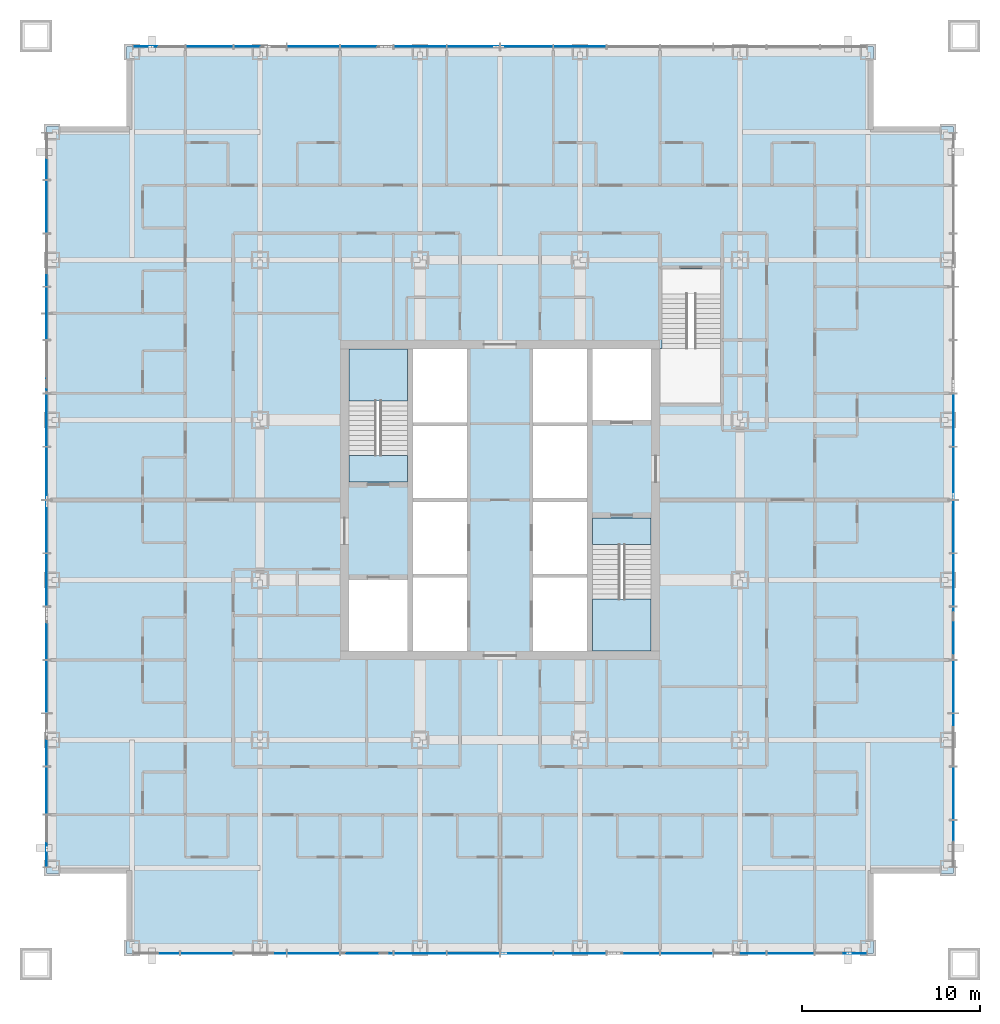
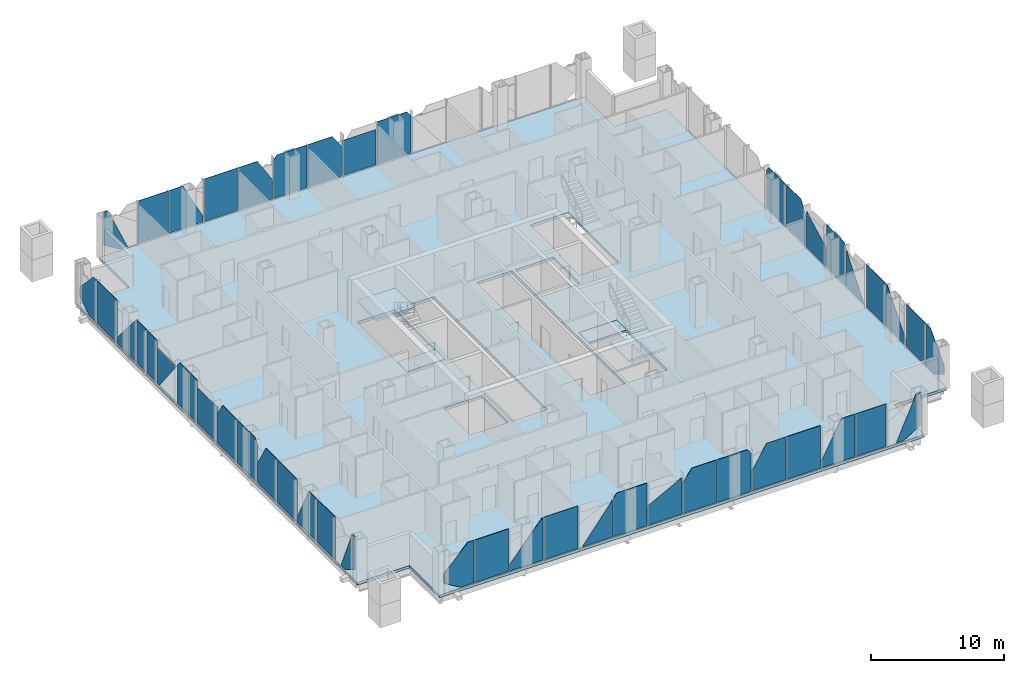
# One storey, part 6 of 23: 47 plates, 5 slabs, 6 elements without a shape of their own.
"""IFC4 building model written with IfcOpenShell, lengths in metres."""

from ifc_helpers import new_model, si_unit, direction, frame, origin, origin_2d, place, context, subcontext, project, spatial, polyline, rectangle, outline, extrude, material, layer, layer_set, type_object, element, aggregate, save


model = new_model("IFC4")

# Units and contexts
model_context = context("Model", 3, precision=1e-05, world=origin(), true_north=direction((0.0, 1.0)))
body_context = subcontext(model_context, "Body", "Model", "MODEL_VIEW")
ifc_project = project(units=[si_unit("LENGTHUNIT", "METRE"), si_unit("AREAUNIT", "SQUARE_METRE"), si_unit("VOLUMEUNIT", "CUBIC_METRE"), si_unit("PLANEANGLEUNIT", "RADIAN"), si_unit("MASSUNIT", "GRAM", prefix="KILO")], contexts=[model_context])

# Site, building, storey
site_placement = place(None, origin())
site = spatial("IfcSite", under=ifc_project, at=site_placement, CompositionType="ELEMENT")
building_placement = place(site_placement, origin())
building = spatial("IfcBuilding", under=site, at=building_placement, Name="Malebo Sky Hospital", CompositionType="ELEMENT")
storey_placement = place(building_placement, frame((0.0, 0.0, 91.0)))
storey = spatial("IfcBuildingStorey", under=building, at=storey_placement, Name="L21", CompositionType="ELEMENT", Elevation=91.0)

# Slab
ifc_material_1 = material(Name="Concrete C40/50", Category="concrete")
ifc_layer_1 = layer(ifc_material_1, 0.25)
ifc_layer_set_1 = layer_set([ifc_layer_1], Name="COMPOSITE FLOOR SLAB 250")
slab_type_1 = type_object("IfcSlabType", Name="COMPOSITE FLOOR SLAB 250", PredefinedType="FLOOR", material=ifc_layer_set_1)
slab_1_placement = place(storey_placement, frame((0.0, 0.0, -0.25)))
element("IfcSlab", 1, at=slab_1_placement, inside=storey, type_object=slab_type_1, Name="Floor slab L21", PredefinedType="FLOOR", context=body_context, shape_type="SweptSolid", body=[
    extrude(outline(polyline([(39.0, 87.5), (39.0, 83.0), (34.5, 83.0), (34.5, 41.0), (39.0, 41.0), (39.0, 36.5), (81.0, 36.5), (81.0, 41.0), (85.5, 41.0), (85.5, 83.0), (81.0, 83.0), (81.0, 87.5), (39.0, 87.5)]), holes=[polyline([(55.10009765625, 70.5), (58.14990234375, 70.5), (58.14990234375, 53.5), (55.10009765625, 53.5), (55.10009765625, 70.5)]), polyline([(64.89990234375, 70.5), (64.89990234375, 53.5), (61.85009765625, 53.5), (61.85009765625, 70.5), (64.89990234375, 70.5)]), polyline([(54.800048828125, 63.0), (51.5, 63.0), (51.5, 70.5), (54.800048828125, 70.5), (54.800048828125, 63.0)]), polyline([(51.5, 53.5), (51.5, 57.5), (54.800048828125, 57.5), (54.800048828125, 53.5), (51.5, 53.5)]), polyline([(65.199951171875, 61.0), (68.5, 61.0), (68.5, 53.5), (65.199951171875, 53.5), (65.199951171875, 61.0)]), polyline([(68.5, 70.5), (68.5, 66.5), (65.199951171875, 66.5), (65.199951171875, 70.5), (68.5, 70.5)]), polyline([(69.0, 67.449951171875), (69.0, 70.52001953125), (69.10009765625, 70.52001953125), (69.10009765625, 75.0), (72.39990234375, 75.0), (72.39990234375, 67.449951171875), (69.10009765625, 67.449951171875), (69.0, 67.449951171875)])]), origin(), (0.0, 0.0, 1.0), 0.25),
])

# Stair, slabs
stair_type = type_object("IfcStairType", Name="HALF-TURN STAIR 1500 R167", PredefinedType="HALF_TURN_STAIR", material=ifc_material_1)
stair_1_placement = place(storey_placement, origin())
stair_1 = element("IfcStair", 2, at=stair_1_placement, inside=storey, type_object=stair_type, Name="Stair S1 L21 type ST1", PredefinedType="HALF_TURN_STAIR")
ifc_layer_2 = layer(ifc_material_1, 0.199951171875)
ifc_layer_set_2 = layer_set([ifc_layer_2], Name="STAIR LANDING 200")
slab_type_2 = type_object("IfcSlabType", Name="STAIR LANDING 200", PredefinedType="LANDING", material=ifc_layer_set_2)
slab_2_placement = place(storey_placement, frame((0.0, 0.0, -0.199951171875)))
slab_2 = element("IfcSlab", 3, at=slab_2_placement, type_object=slab_type_2, Name="S1 landing 1", PredefinedType="LANDING", context=body_context, shape_type="SweptSolid", body=[
    extrude(outline(polyline([(51.5, 63.0), (54.800048828125, 63.0), (54.800048828125, 64.5), (51.5, 64.5), (51.5, 63.0)])), origin(), (0.0, 0.0, 1.0), 0.199951171875),
])
slab_3_placement = place(storey_placement, frame((0.0, 0.0, 1.800048828125)))
slab_3 = element("IfcSlab", 4, at=slab_3_placement, type_object=slab_type_2, Name="S1 landing 2", PredefinedType="LANDING", context=body_context, shape_type="SweptSolid", body=[
    extrude(outline(polyline([(51.5, 67.580078125), (54.800048828125, 67.580078125), (54.800048828125, 70.5), (51.5, 70.5), (51.5, 67.580078125)])), origin(), (0.0, 0.0, 1.0), 0.199951171875),
])
aggregate(stair_1, [slab_2, slab_3])

stair_2_placement = place(storey_placement, origin())
stair_2 = element("IfcStair", 5, at=stair_2_placement, inside=storey, type_object=stair_type, Name="Stair S2 L21 type ST1", PredefinedType="HALF_TURN_STAIR")
slab_4_placement = place(storey_placement, frame((0.0, 0.0, -0.199951171875)))
slab_4 = element("IfcSlab", 6, at=slab_4_placement, type_object=slab_type_2, Name="S2 landing 1", PredefinedType="LANDING", context=body_context, shape_type="SweptSolid", body=[
    extrude(outline(polyline([(65.199951171875, 59.5), (68.5, 59.5), (68.5, 61.0), (65.199951171875, 61.0), (65.199951171875, 59.5)])), origin(), (0.0, 0.0, 1.0), 0.199951171875),
])
slab_5_placement = place(storey_placement, frame((0.0, 0.0, 1.800048828125)))
slab_5 = element("IfcSlab", 7, at=slab_5_placement, type_object=slab_type_2, Name="S2 landing 2", PredefinedType="LANDING", context=body_context, shape_type="SweptSolid", body=[
    extrude(outline(polyline([(65.199951171875, 53.5), (68.5, 53.5), (68.5, 56.419921875), (65.199951171875, 56.419921875), (65.199951171875, 53.5)])), origin(), (0.0, 0.0, 1.0), 0.199951171875),
])
aggregate(stair_2, [slab_4, slab_5])

# Curtain wall, plates
ifc_material_2 = material(Name="Anodised aluminium, natural silver", Category="aluminium")
ifc_layer_3 = layer(ifc_material_2, 0.25)
ifc_layer_set_3 = layer_set([ifc_layer_3], Name="WARD CURTAIN WALL NORTH AND SOUTH")
curtain_wall_type_1 = type_object("IfcCurtainWallType", Name="WARD CURTAIN WALL NORTH AND SOUTH", PredefinedType="NOTDEFINED", material=ifc_layer_set_3)
curtain_wall_1_placement = place(storey_placement, origin())
curtain_wall_1 = element("IfcCurtainWall", 8, at=curtain_wall_1_placement, inside=storey, type_object=curtain_wall_type_1, Name="NS curtain wall N", PredefinedType="NOTDEFINED")
ifc_material_3 = material(Name="Clear low-iron double glazing", Category="glass")
ifc_layer_4 = layer(ifc_material_3, 0.031982421875)
ifc_layer_set_4 = layer_set([ifc_layer_4], Name="VISION PANEL CLEAR 32")
plate_type = type_object("IfcPlateType", Name="VISION PANEL CLEAR 32", PredefinedType="CURTAIN_PANEL", material=ifc_layer_set_4)
plate_1_placement = place(storey_placement, frame((40.41748046875, 87.5, 0.10009765625), z_axis=(0.0, 0.0, 1.0), x_axis=(1.0, 0.0, 0.0)))
plate_1 = element("IfcPlate", 9, at=plate_1_placement, type_object=plate_type, Name="Panel 1", PredefinedType="CURTAIN_PANEL", context=body_context, shape_type="SweptSolid", body=[
    extrude(outline(polyline([(0.388671875, 0.0), (1.04248046875, 0.0), (-0.662109375, 3.889892578125), (-1.04248046875, 3.889892578125), (-1.04248046875, 0.87744140625), (0.388671875, 0.0)])), frame((0.0, 0.01611328125, 0.0), z_axis=(0.0, -1.0, 0.0), x_axis=(1.0, 0.0, 0.0)), (0.0, 0.0, 1.0), 0.031982421875),
])
plate_2_placement = place(storey_placement, frame((43.64990234375, 87.5, 0.10009765625), z_axis=(0.0, 0.0, 1.0), x_axis=(1.0, 0.0, 0.0)))
plate_2 = element("IfcPlate", 10, at=plate_2_placement, type_object=plate_type, Name="Panel 2", PredefinedType="CURTAIN_PANEL", context=body_context, shape_type="SweptSolid", body=[
    extrude(rectangle(XDim=2.625, YDim=0.031982421875, at=origin_2d()), origin(), (0.0, 0.0, 1.0), 3.889892578125),
])
plate_3_placement = place(storey_placement, frame((46.5, 87.5, 0.10009765625), z_axis=(0.0, 0.0, 1.0), x_axis=(1.0, 0.0, 0.0)))
plate_3 = element("IfcPlate", 11, at=plate_3_placement, type_object=plate_type, Name="Panel 3", PredefinedType="CURTAIN_PANEL", context=body_context, shape_type="SweptSolid", body=[
    extrude(outline(polyline([(-1.46240234375, 0.0), (1.46240234375, 0.0), (1.46240234375, 0.5625), (-0.27587890625, 3.889892578125), (-1.46240234375, 3.889892578125), (-1.46240234375, 0.0)])), frame((0.0, 0.01611328125, 0.0), z_axis=(0.0, -1.0, 0.0), x_axis=(1.0, 0.0, 0.0)), (0.0, 0.0, 1.0), 0.031982421875),
])
plate_4_placement = place(storey_placement, frame((49.5, 87.5, 0.10009765625), z_axis=(0.0, 0.0, 1.0), x_axis=(1.0, 0.0, 0.0)))
plate_4 = element("IfcPlate", 12, at=plate_4_placement, type_object=plate_type, Name="Panel 4", PredefinedType="CURTAIN_PANEL", context=body_context, shape_type="SweptSolid", body=[
    extrude(rectangle(XDim=2.925048828125, YDim=0.031982421875, at=origin_2d()), origin(), (0.0, 0.0, 1.0), 3.889892578125),
])
plate_5_placement = place(storey_placement, frame((52.5, 87.5, 0.10009765625), z_axis=(0.0, 0.0, 1.0), x_axis=(1.0, 0.0, 0.0)))
plate_5 = element("IfcPlate", 13, at=plate_5_placement, type_object=plate_type, Name="Panel 5", PredefinedType="CURTAIN_PANEL", context=body_context, shape_type="SweptSolid", body=[
    extrude(outline(polyline([(-1.46240234375, 0.0), (1.46240234375, 0.0), (1.46240234375, 1.800048828125), (0.1943359375, 3.889892578125), (-1.46240234375, 3.889892578125), (-1.46240234375, 0.0)])), frame((0.0, 0.01611328125, 0.0), z_axis=(0.0, -1.0, 0.0), x_axis=(1.0, 0.0, 0.0)), (0.0, 0.0, 1.0), 0.031982421875),
])
plate_6_placement = place(storey_placement, frame((55.5, 87.5, 0.10009765625), z_axis=(0.0, 0.0, 1.0), x_axis=(1.0, 0.0, 0.0)))
plate_6 = element("IfcPlate", 14, at=plate_6_placement, type_object=plate_type, Name="Panel 6", PredefinedType="CURTAIN_PANEL", context=body_context, shape_type="SweptSolid", body=[
    extrude(outline(polyline([(-1.46240234375, 0.0), (1.46240234375, 0.0), (1.46240234375, 3.889892578125), (-1.135009765625, 3.889892578125), (-1.46240234375, 3.4677734375), (-1.46240234375, 0.0)])), frame((0.0, 0.01611328125, 0.0), z_axis=(0.0, -1.0, 0.0), x_axis=(1.0, 0.0, 0.0)), (0.0, 0.0, 1.0), 0.031982421875),
])
plate_7_placement = place(storey_placement, frame((58.5, 87.5, 0.10009765625), z_axis=(0.0, 0.0, 1.0), x_axis=(1.0, 0.0, 0.0)))
plate_7 = element("IfcPlate", 15, at=plate_7_placement, type_object=plate_type, Name="Panel 7", PredefinedType="CURTAIN_PANEL", context=body_context, shape_type="SweptSolid", body=[
    extrude(outline(polyline([(-1.46240234375, 0.0), (1.46240234375, 0.0), (1.46240234375, 2.73583984375), (0.664794921875, 3.889892578125), (-1.46240234375, 3.889892578125), (-1.46240234375, 0.0)])), frame((0.0, 0.01611328125, 0.0), z_axis=(0.0, -1.0, 0.0), x_axis=(1.0, 0.0, 0.0)), (0.0, 0.0, 1.0), 0.031982421875),
])
plate_8_placement = place(storey_placement, frame((61.5, 87.5, 0.10009765625), z_axis=(0.0, 0.0, 1.0), x_axis=(1.0, 0.0, 0.0)))
plate_8 = element("IfcPlate", 16, at=plate_8_placement, type_object=plate_type, Name="Panel 8", PredefinedType="CURTAIN_PANEL", context=body_context, shape_type="SweptSolid", body=[
    extrude(outline(polyline([(-1.46240234375, 0.0), (1.46240234375, 0.0), (1.46240234375, 3.226806640625), (-1.46240234375, 3.226806640625), (-1.46240234375, 0.0)])), frame((0.0, 0.01611328125, 0.0), z_axis=(0.0, -1.0, 0.0), x_axis=(1.0, 0.0, 0.0)), (0.0, 0.0, 1.0), 0.031982421875),
])
plate_9_placement = place(storey_placement, frame((64.5, 87.5, 0.10009765625), z_axis=(0.0, 0.0, 1.0), x_axis=(1.0, 0.0, 0.0)))
plate_9 = element("IfcPlate", 17, at=plate_9_placement, type_object=plate_type, Name="Panel 9", PredefinedType="CURTAIN_PANEL", context=body_context, shape_type="SweptSolid", body=[
    extrude(outline(polyline([(-1.46240234375, 0.0), (1.46240234375, 0.0), (1.46240234375, 3.4677734375), (1.135009765625, 3.889892578125), (-1.46240234375, 3.889892578125), (-1.46240234375, 0.0)])), frame((0.0, 0.01611328125, 0.0), z_axis=(0.0, -1.0, 0.0), x_axis=(1.0, 0.0, 0.0)), (0.0, 0.0, 1.0), 0.031982421875),
])
aggregate(curtain_wall_1, [plate_1, plate_2, plate_3, plate_4, plate_5, plate_6, plate_7, plate_8, plate_9])

ifc_layer_5 = layer(ifc_material_2, 0.25)
ifc_layer_set_5 = layer_set([ifc_layer_5], Name="WARD CURTAIN WALL EAST AND WEST")
curtain_wall_type_2 = type_object("IfcCurtainWallType", Name="WARD CURTAIN WALL EAST AND WEST", PredefinedType="NOTDEFINED", material=ifc_layer_set_5)
curtain_wall_2_placement = place(storey_placement, origin())
curtain_wall_2 = element("IfcCurtainWall", 18, at=curtain_wall_2_placement, inside=storey, type_object=curtain_wall_type_2, Name="EW curtain wall W", PredefinedType="NOTDEFINED")
plate_10_placement = place(storey_placement, frame((34.5, 42.41748046875, 0.10009765625), z_axis=(0.0, 0.0, 1.0), x_axis=(0.0, 1.0, 0.0)))
plate_10 = element("IfcPlate", 19, at=plate_10_placement, type_object=plate_type, Name="Panel 1", PredefinedType="CURTAIN_PANEL", context=body_context, shape_type="SweptSolid", body=[
    extrude(outline(polyline([(0.388671875, 0.0), (1.04248046875, 0.0), (-0.662109375, 3.889892578125), (-1.04248046875, 3.889892578125), (-1.04248046875, 0.87744140625), (0.388671875, 0.0)])), frame((0.0, 0.01611328125, 0.0), z_axis=(0.0, -1.0, 0.0), x_axis=(1.0, 0.0, 0.0)), (0.0, 0.0, 1.0), 0.031982421875),
])
plate_11_placement = place(storey_placement, frame((34.5, 45.64990234375, 0.10009765625), z_axis=(0.0, 0.0, 1.0), x_axis=(0.0, 1.0, 0.0)))
plate_11 = element("IfcPlate", 20, at=plate_11_placement, type_object=plate_type, Name="Panel 2", PredefinedType="CURTAIN_PANEL", context=body_context, shape_type="SweptSolid", body=[
    extrude(rectangle(XDim=2.625, YDim=0.031982421875, at=origin_2d()), origin(), (0.0, 0.0, 1.0), 3.889892578125),
])
plate_12_placement = place(storey_placement, frame((34.5, 48.5, 0.10009765625), z_axis=(0.0, 0.0, 1.0), x_axis=(0.0, 1.0, 0.0)))
plate_12 = element("IfcPlate", 21, at=plate_12_placement, type_object=plate_type, Name="Panel 3", PredefinedType="CURTAIN_PANEL", context=body_context, shape_type="SweptSolid", body=[
    extrude(outline(polyline([(-1.46240234375, 0.0), (1.46240234375, 0.0), (1.46240234375, 0.5625), (-0.27587890625, 3.889892578125), (-1.46240234375, 3.889892578125), (-1.46240234375, 0.0)])), frame((0.0, 0.01611328125, 0.0), z_axis=(0.0, -1.0, 0.0), x_axis=(1.0, 0.0, 0.0)), (0.0, 0.0, 1.0), 0.031982421875),
])
plate_13_placement = place(storey_placement, frame((34.5, 51.5, 0.10009765625), z_axis=(0.0, 0.0, 1.0), x_axis=(0.0, 1.0, 0.0)))
plate_13 = element("IfcPlate", 22, at=plate_13_placement, type_object=plate_type, Name="Panel 4", PredefinedType="CURTAIN_PANEL", context=body_context, shape_type="SweptSolid", body=[
    extrude(rectangle(XDim=2.925048828125, YDim=0.031982421875, at=origin_2d()), origin(), (0.0, 0.0, 1.0), 3.889892578125),
])
plate_14_placement = place(storey_placement, frame((34.5, 54.5, 0.10009765625), z_axis=(0.0, 0.0, 1.0), x_axis=(0.0, 1.0, 0.0)))
plate_14 = element("IfcPlate", 23, at=plate_14_placement, type_object=plate_type, Name="Panel 5", PredefinedType="CURTAIN_PANEL", context=body_context, shape_type="SweptSolid", body=[
    extrude(outline(polyline([(-1.46240234375, 0.0), (1.46240234375, 0.0), (1.46240234375, 1.800048828125), (0.1943359375, 3.889892578125), (-1.46240234375, 3.889892578125), (-1.46240234375, 0.0)])), frame((0.0, 0.01611328125, 0.0), z_axis=(0.0, -1.0, 0.0), x_axis=(1.0, 0.0, 0.0)), (0.0, 0.0, 1.0), 0.031982421875),
])
plate_15_placement = place(storey_placement, frame((34.5, 57.5, 0.10009765625), z_axis=(0.0, 0.0, 1.0), x_axis=(0.0, 1.0, 0.0)))
plate_15 = element("IfcPlate", 24, at=plate_15_placement, type_object=plate_type, Name="Panel 6", PredefinedType="CURTAIN_PANEL", context=body_context, shape_type="SweptSolid", body=[
    extrude(outline(polyline([(-1.46240234375, 0.0), (1.46240234375, 0.0), (1.46240234375, 3.889892578125), (-1.135009765625, 3.889892578125), (-1.46240234375, 3.4677734375), (-1.46240234375, 0.0)])), frame((0.0, 0.01611328125, 0.0), z_axis=(0.0, -1.0, 0.0), x_axis=(1.0, 0.0, 0.0)), (0.0, 0.0, 1.0), 0.031982421875),
])
plate_16_placement = place(storey_placement, frame((34.5, 60.5, 0.10009765625), z_axis=(0.0, 0.0, 1.0), x_axis=(0.0, 1.0, 0.0)))
plate_16 = element("IfcPlate", 25, at=plate_16_placement, type_object=plate_type, Name="Panel 7", PredefinedType="CURTAIN_PANEL", context=body_context, shape_type="SweptSolid", body=[
    extrude(outline(polyline([(-1.46240234375, 0.0), (1.46240234375, 0.0), (1.46240234375, 2.73583984375), (0.664794921875, 3.889892578125), (-1.46240234375, 3.889892578125), (-1.46240234375, 0.0)])), frame((0.0, 0.01611328125, 0.0), z_axis=(0.0, -1.0, 0.0), x_axis=(1.0, 0.0, 0.0)), (0.0, 0.0, 1.0), 0.031982421875),
])
plate_17_placement = place(storey_placement, frame((34.5, 63.5, 0.10009765625), z_axis=(0.0, 0.0, 1.0), x_axis=(0.0, 1.0, 0.0)))
plate_17 = element("IfcPlate", 26, at=plate_17_placement, type_object=plate_type, Name="Panel 8", PredefinedType="CURTAIN_PANEL", context=body_context, shape_type="SweptSolid", body=[
    extrude(outline(polyline([(-1.46240234375, 0.0), (1.46240234375, 0.0), (1.46240234375, 3.226806640625), (-1.46240234375, 3.226806640625), (-1.46240234375, 0.0)])), frame((0.0, 0.01611328125, 0.0), z_axis=(0.0, -1.0, 0.0), x_axis=(1.0, 0.0, 0.0)), (0.0, 0.0, 1.0), 0.031982421875),
])
plate_18_placement = place(storey_placement, frame((34.5, 66.5, 0.10009765625), z_axis=(0.0, 0.0, 1.0), x_axis=(0.0, 1.0, 0.0)))
plate_18 = element("IfcPlate", 27, at=plate_18_placement, type_object=plate_type, Name="Panel 9", PredefinedType="CURTAIN_PANEL", context=body_context, shape_type="SweptSolid", body=[
    extrude(outline(polyline([(-1.46240234375, 0.0), (1.46240234375, 0.0), (1.46240234375, 3.4677734375), (1.135009765625, 3.889892578125), (-1.46240234375, 3.889892578125), (-1.46240234375, 0.0)])), frame((0.0, 0.01611328125, 0.0), z_axis=(0.0, -1.0, 0.0), x_axis=(1.0, 0.0, 0.0)), (0.0, 0.0, 1.0), 0.031982421875),
])
plate_19_placement = place(storey_placement, frame((34.5, 69.5615234375, 0.10009765625), z_axis=(0.0, 0.0, 1.0), x_axis=(0.0, 1.0, 0.0)))
plate_19 = element("IfcPlate", 28, at=plate_19_placement, type_object=plate_type, Name="Panel 10", PredefinedType="CURTAIN_PANEL", context=body_context, shape_type="SweptSolid", body=[
    extrude(outline(polyline([(1.08935546875, 0.0), (1.40087890625, 0.0), (1.40087890625, 3.212158203125), (-1.40087890625, 3.212158203125), (1.08935546875, 0.0)])), frame((0.0, 0.01611328125, 0.0), z_axis=(0.0, -1.0, 0.0), x_axis=(1.0, 0.0, 0.0)), (0.0, 0.0, 1.0), 0.031982421875),
])
plate_20_placement = place(storey_placement, frame((34.5, 71.75, 0.10009765625), z_axis=(0.0, 0.0, 1.0), x_axis=(0.0, 1.0, 0.0)))
plate_20 = element("IfcPlate", 29, at=plate_20_placement, type_object=plate_type, Name="Panel 11", PredefinedType="CURTAIN_PANEL", context=body_context, shape_type="SweptSolid", body=[
    extrude(rectangle(XDim=1.425048828125, YDim=0.031982421875, at=origin_2d()), origin(), (0.0, 0.0, 1.0), 3.889892578125),
])
plate_21_placement = place(storey_placement, frame((34.5, 73.25, 0.10009765625), z_axis=(0.0, 0.0, 1.0), x_axis=(0.0, 1.0, 0.0)))
plate_21 = element("IfcPlate", 30, at=plate_21_placement, type_object=plate_type, Name="Panel 12", PredefinedType="CURTAIN_PANEL", context=body_context, shape_type="SweptSolid", body=[
    extrude(rectangle(XDim=1.425048828125, YDim=0.031982421875, at=origin_2d()), origin(), (0.0, 0.0, 1.0), 3.889892578125),
])
plate_22_placement = place(storey_placement, frame((34.5, 75.5, 0.10009765625), z_axis=(0.0, 0.0, 1.0), x_axis=(0.0, 1.0, 0.0)))
plate_22 = element("IfcPlate", 31, at=plate_22_placement, type_object=plate_type, Name="Panel 13", PredefinedType="CURTAIN_PANEL", context=body_context, shape_type="SweptSolid", body=[
    extrude(outline(polyline([(-1.46240234375, 0.0), (1.46240234375, 0.0), (1.46240234375, 0.565185546875), (-1.395263671875, 3.889892578125), (-1.46240234375, 3.889892578125), (-1.46240234375, 0.0)])), frame((0.0, 0.01611328125, 0.0), z_axis=(0.0, -1.0, 0.0), x_axis=(1.0, 0.0, 0.0)), (0.0, 0.0, 1.0), 0.031982421875),
])
plate_23_placement = place(storey_placement, frame((34.5, 78.5, 0.10009765625), z_axis=(0.0, 0.0, 1.0), x_axis=(0.0, 1.0, 0.0)))
plate_23 = element("IfcPlate", 32, at=plate_23_placement, type_object=plate_type, Name="Panel 14", PredefinedType="CURTAIN_PANEL", context=body_context, shape_type="SweptSolid", body=[
    extrude(rectangle(XDim=2.925048828125, YDim=0.031982421875, at=origin_2d()), origin(), (0.0, 0.0, 1.0), 3.889892578125),
])
plate_24_placement = place(storey_placement, frame((34.5, 81.331298828125, 0.10009765625), z_axis=(0.0, 0.0, 1.0), x_axis=(0.0, 1.0, 0.0)))
plate_24 = element("IfcPlate", 33, at=plate_24_placement, type_object=plate_type, Name="Panel 15", PredefinedType="CURTAIN_PANEL", context=body_context, shape_type="SweptSolid", body=[
    extrude(outline(polyline([(-1.293701171875, 0.0), (-0.137451171875, 0.0), (1.293701171875, 0.87744140625), (1.293701171875, 1.716064453125), (-0.758056640625, 3.889892578125), (-1.293701171875, 3.889892578125), (-1.293701171875, 0.0)])), frame((0.0, 0.01611328125, 0.0), z_axis=(0.0, -1.0, 0.0), x_axis=(1.0, 0.0, 0.0)), (0.0, 0.0, 1.0), 0.031982421875),
])
aggregate(curtain_wall_2, [plate_10, plate_11, plate_12, plate_13, plate_14, plate_15, plate_16, plate_17, plate_18, plate_19, plate_20, plate_21, plate_22, plate_23, plate_24])

curtain_wall_3_placement = place(storey_placement, origin())
curtain_wall_3 = element("IfcCurtainWall", 34, at=curtain_wall_3_placement, inside=storey, type_object=curtain_wall_type_1, Name="NS curtain wall S", PredefinedType="NOTDEFINED")
plate_25_placement = place(storey_placement, frame((79.58251953125, 36.5, 0.10009765625), z_axis=(0.0, 0.0, 1.0), x_axis=(-1.0, 0.0, 0.0)))
plate_25 = element("IfcPlate", 35, at=plate_25_placement, type_object=plate_type, Name="Panel 1", PredefinedType="CURTAIN_PANEL", context=body_context, shape_type="SweptSolid", body=[
    extrude(outline(polyline([(0.388671875, 0.0), (1.04248046875, 0.0), (-0.662109375, 3.889892578125), (-1.04248046875, 3.889892578125), (-1.04248046875, 0.87744140625), (0.388671875, 0.0)])), frame((0.0, 0.01611328125, 0.0), z_axis=(0.0, -1.0, 0.0), x_axis=(1.0, 0.0, 0.0)), (0.0, 0.0, 1.0), 0.031982421875),
])
plate_26_placement = place(storey_placement, frame((76.35009765625, 36.5, 0.10009765625), z_axis=(0.0, 0.0, 1.0), x_axis=(-1.0, 0.0, 0.0)))
plate_26 = element("IfcPlate", 36, at=plate_26_placement, type_object=plate_type, Name="Panel 2", PredefinedType="CURTAIN_PANEL", context=body_context, shape_type="SweptSolid", body=[
    extrude(rectangle(XDim=2.625, YDim=0.031982421875, at=origin_2d()), origin(), (0.0, 0.0, 1.0), 3.889892578125),
])
plate_27_placement = place(storey_placement, frame((73.5, 36.5, 0.10009765625), z_axis=(0.0, 0.0, 1.0), x_axis=(-1.0, 0.0, 0.0)))
plate_27 = element("IfcPlate", 37, at=plate_27_placement, type_object=plate_type, Name="Panel 3", PredefinedType="CURTAIN_PANEL", context=body_context, shape_type="SweptSolid", body=[
    extrude(outline(polyline([(-1.46240234375, 0.0), (1.46240234375, 0.0), (1.46240234375, 0.5625), (-0.27587890625, 3.889892578125), (-1.46240234375, 3.889892578125), (-1.46240234375, 0.0)])), frame((0.0, 0.01611328125, 0.0), z_axis=(0.0, -1.0, 0.0), x_axis=(1.0, 0.0, 0.0)), (0.0, 0.0, 1.0), 0.031982421875),
])
plate_28_placement = place(storey_placement, frame((70.5, 36.5, 0.10009765625), z_axis=(0.0, 0.0, 1.0), x_axis=(-1.0, 0.0, 0.0)))
plate_28 = element("IfcPlate", 38, at=plate_28_placement, type_object=plate_type, Name="Panel 4", PredefinedType="CURTAIN_PANEL", context=body_context, shape_type="SweptSolid", body=[
    extrude(rectangle(XDim=2.925048828125, YDim=0.031982421875, at=origin_2d()), origin(), (0.0, 0.0, 1.0), 3.889892578125),
])
plate_29_placement = place(storey_placement, frame((67.5, 36.5, 0.10009765625), z_axis=(0.0, 0.0, 1.0), x_axis=(-1.0, 0.0, 0.0)))
plate_29 = element("IfcPlate", 39, at=plate_29_placement, type_object=plate_type, Name="Panel 5", PredefinedType="CURTAIN_PANEL", context=body_context, shape_type="SweptSolid", body=[
    extrude(outline(polyline([(-1.46240234375, 0.0), (1.46240234375, 0.0), (1.46240234375, 1.800048828125), (0.1943359375, 3.889892578125), (-1.46240234375, 3.889892578125), (-1.46240234375, 0.0)])), frame((0.0, 0.01611328125, 0.0), z_axis=(0.0, -1.0, 0.0), x_axis=(1.0, 0.0, 0.0)), (0.0, 0.0, 1.0), 0.031982421875),
])
plate_30_placement = place(storey_placement, frame((64.5, 36.5, 0.10009765625), z_axis=(0.0, 0.0, 1.0), x_axis=(-1.0, 0.0, 0.0)))
plate_30 = element("IfcPlate", 40, at=plate_30_placement, type_object=plate_type, Name="Panel 6", PredefinedType="CURTAIN_PANEL", context=body_context, shape_type="SweptSolid", body=[
    extrude(outline(polyline([(-1.46240234375, 0.0), (1.46240234375, 0.0), (1.46240234375, 3.889892578125), (-1.135009765625, 3.889892578125), (-1.46240234375, 3.4677734375), (-1.46240234375, 0.0)])), frame((0.0, 0.01611328125, 0.0), z_axis=(0.0, -1.0, 0.0), x_axis=(1.0, 0.0, 0.0)), (0.0, 0.0, 1.0), 0.031982421875),
])
plate_31_placement = place(storey_placement, frame((61.5, 36.5, 0.10009765625), z_axis=(0.0, 0.0, 1.0), x_axis=(-1.0, 0.0, 0.0)))
plate_31 = element("IfcPlate", 41, at=plate_31_placement, type_object=plate_type, Name="Panel 7", PredefinedType="CURTAIN_PANEL", context=body_context, shape_type="SweptSolid", body=[
    extrude(outline(polyline([(-1.46240234375, 0.0), (1.46240234375, 0.0), (1.46240234375, 2.73583984375), (0.664794921875, 3.889892578125), (-1.46240234375, 3.889892578125), (-1.46240234375, 0.0)])), frame((0.0, 0.01611328125, 0.0), z_axis=(0.0, -1.0, 0.0), x_axis=(1.0, 0.0, 0.0)), (0.0, 0.0, 1.0), 0.031982421875),
])
plate_32_placement = place(storey_placement, frame((58.5, 36.5, 0.10009765625), z_axis=(0.0, 0.0, 1.0), x_axis=(-1.0, 0.0, 0.0)))
plate_32 = element("IfcPlate", 42, at=plate_32_placement, type_object=plate_type, Name="Panel 8", PredefinedType="CURTAIN_PANEL", context=body_context, shape_type="SweptSolid", body=[
    extrude(outline(polyline([(-1.46240234375, 0.0), (1.46240234375, 0.0), (1.46240234375, 1.768798828125), (-1.46240234375, 3.31787109375), (-1.46240234375, 0.0)])), frame((0.0, 0.01611328125, 0.0), z_axis=(0.0, -1.0, 0.0), x_axis=(1.0, 0.0, 0.0)), (0.0, 0.0, 1.0), 0.031982421875),
])
plate_33_placement = place(storey_placement, frame((55.5, 36.5, 0.10009765625), z_axis=(0.0, 0.0, 1.0), x_axis=(-1.0, 0.0, 0.0)))
plate_33 = element("IfcPlate", 43, at=plate_33_placement, type_object=plate_type, Name="Panel 9", PredefinedType="CURTAIN_PANEL", context=body_context, shape_type="SweptSolid", body=[
    extrude(outline(polyline([(-1.46240234375, 0.0), (1.46240234375, 0.0), (1.46240234375, 3.4677734375), (1.135009765625, 3.889892578125), (-1.46240234375, 3.889892578125), (-1.46240234375, 0.0)])), frame((0.0, 0.01611328125, 0.0), z_axis=(0.0, -1.0, 0.0), x_axis=(1.0, 0.0, 0.0)), (0.0, 0.0, 1.0), 0.031982421875),
])
plate_34_placement = place(storey_placement, frame((52.65576171875, 36.5, 0.10009765625), z_axis=(0.0, 0.0, 1.0), x_axis=(-1.0, 0.0, 0.0)))
plate_34 = element("IfcPlate", 44, at=plate_34_placement, type_object=plate_type, Name="Panel 10", PredefinedType="CURTAIN_PANEL", context=body_context, shape_type="SweptSolid", body=[
    extrude(outline(polyline([(-1.306640625, 0.0), (1.306640625, 0.0), (-1.306640625, 3.370849609375), (-1.306640625, 0.0)])), frame((0.0, 0.01611328125, 0.0), z_axis=(0.0, -1.0, 0.0), x_axis=(1.0, 0.0, 0.0)), (0.0, 0.0, 1.0), 0.031982421875),
])
plate_35_placement = place(storey_placement, frame((49.5, 36.5, 0.10009765625), z_axis=(0.0, 0.0, 1.0), x_axis=(-1.0, 0.0, 0.0)))
plate_35 = element("IfcPlate", 45, at=plate_35_placement, type_object=plate_type, Name="Panel 11", PredefinedType="CURTAIN_PANEL", context=body_context, shape_type="SweptSolid", body=[
    extrude(rectangle(XDim=2.925048828125, YDim=0.031982421875, at=origin_2d()), origin(), (0.0, 0.0, 1.0), 3.889892578125),
])
plate_36_placement = place(storey_placement, frame((46.5, 36.5, 0.10009765625), z_axis=(0.0, 0.0, 1.0), x_axis=(-1.0, 0.0, 0.0)))
plate_36 = element("IfcPlate", 46, at=plate_36_placement, type_object=plate_type, Name="Panel 12", PredefinedType="CURTAIN_PANEL", context=body_context, shape_type="SweptSolid", body=[
    extrude(outline(polyline([(-1.46240234375, 0.0), (1.46240234375, 0.0), (1.46240234375, 0.565185546875), (-1.395263671875, 3.889892578125), (-1.46240234375, 3.889892578125), (-1.46240234375, 0.0)])), frame((0.0, 0.01611328125, 0.0), z_axis=(0.0, -1.0, 0.0), x_axis=(1.0, 0.0, 0.0)), (0.0, 0.0, 1.0), 0.031982421875),
])
plate_37_placement = place(storey_placement, frame((43.5, 36.5, 0.10009765625), z_axis=(0.0, 0.0, 1.0), x_axis=(-1.0, 0.0, 0.0)))
plate_37 = element("IfcPlate", 47, at=plate_37_placement, type_object=plate_type, Name="Panel 13", PredefinedType="CURTAIN_PANEL", context=body_context, shape_type="SweptSolid", body=[
    extrude(rectangle(XDim=2.925048828125, YDim=0.031982421875, at=origin_2d()), origin(), (0.0, 0.0, 1.0), 3.889892578125),
])
plate_38_placement = place(storey_placement, frame((40.668701171875, 36.5, 0.10009765625), z_axis=(0.0, 0.0, 1.0), x_axis=(-1.0, 0.0, 0.0)))
plate_38 = element("IfcPlate", 48, at=plate_38_placement, type_object=plate_type, Name="Panel 14", PredefinedType="CURTAIN_PANEL", context=body_context, shape_type="SweptSolid", body=[
    extrude(outline(polyline([(-1.293701171875, 0.0), (-0.137451171875, 0.0), (1.293701171875, 0.87744140625), (1.293701171875, 1.716064453125), (-0.758056640625, 3.889892578125), (-1.293701171875, 3.889892578125), (-1.293701171875, 0.0)])), frame((0.0, 0.01611328125, 0.0), z_axis=(0.0, -1.0, 0.0), x_axis=(1.0, 0.0, 0.0)), (0.0, 0.0, 1.0), 0.031982421875),
])
aggregate(curtain_wall_3, [plate_25, plate_26, plate_27, plate_28, plate_29, plate_30, plate_31, plate_32, plate_33, plate_34, plate_35, plate_36, plate_37, plate_38])

curtain_wall_4_placement = place(storey_placement, origin())
curtain_wall_4 = element("IfcCurtainWall", 49, at=curtain_wall_4_placement, inside=storey, type_object=curtain_wall_type_2, Name="EW curtain wall E", PredefinedType="NOTDEFINED")
plate_39_placement = place(storey_placement, frame((85.5, 66.5, 0.10009765625), z_axis=(0.0, 0.0, 1.0), x_axis=(0.0, -1.0, 0.0)))
plate_39 = element("IfcPlate", 50, at=plate_39_placement, type_object=plate_type, Name="Panel 6", PredefinedType="CURTAIN_PANEL", context=body_context, shape_type="SweptSolid", body=[
    extrude(outline(polyline([(-1.46240234375, 0.0), (1.46240234375, 0.0), (1.46240234375, 3.889892578125), (-1.135009765625, 3.889892578125), (-1.46240234375, 3.4677734375), (-1.46240234375, 0.0)])), frame((0.0, 0.01611328125, 0.0), z_axis=(0.0, -1.0, 0.0), x_axis=(1.0, 0.0, 0.0)), (0.0, 0.0, 1.0), 0.031982421875),
])
plate_40_placement = place(storey_placement, frame((85.5, 63.5, 0.10009765625), z_axis=(0.0, 0.0, 1.0), x_axis=(0.0, -1.0, 0.0)))
plate_40 = element("IfcPlate", 51, at=plate_40_placement, type_object=plate_type, Name="Panel 7", PredefinedType="CURTAIN_PANEL", context=body_context, shape_type="SweptSolid", body=[
    extrude(outline(polyline([(-1.46240234375, 0.0), (1.46240234375, 0.0), (1.46240234375, 2.73583984375), (0.664794921875, 3.889892578125), (-1.46240234375, 3.889892578125), (-1.46240234375, 0.0)])), frame((0.0, 0.01611328125, 0.0), z_axis=(0.0, -1.0, 0.0), x_axis=(1.0, 0.0, 0.0)), (0.0, 0.0, 1.0), 0.031982421875),
])
plate_41_placement = place(storey_placement, frame((85.5, 60.5, 0.10009765625), z_axis=(0.0, 0.0, 1.0), x_axis=(0.0, -1.0, 0.0)))
plate_41 = element("IfcPlate", 52, at=plate_41_placement, type_object=plate_type, Name="Panel 8", PredefinedType="CURTAIN_PANEL", context=body_context, shape_type="SweptSolid", body=[
    extrude(outline(polyline([(-1.46240234375, 0.0), (1.46240234375, 0.0), (1.46240234375, 1.768798828125), (-1.46240234375, 3.31787109375), (-1.46240234375, 0.0)])), frame((0.0, 0.01611328125, 0.0), z_axis=(0.0, -1.0, 0.0), x_axis=(1.0, 0.0, 0.0)), (0.0, 0.0, 1.0), 0.031982421875),
])
plate_42_placement = place(storey_placement, frame((85.5, 57.5, 0.10009765625), z_axis=(0.0, 0.0, 1.0), x_axis=(0.0, -1.0, 0.0)))
plate_42 = element("IfcPlate", 53, at=plate_42_placement, type_object=plate_type, Name="Panel 9", PredefinedType="CURTAIN_PANEL", context=body_context, shape_type="SweptSolid", body=[
    extrude(outline(polyline([(-1.46240234375, 0.0), (1.46240234375, 0.0), (1.46240234375, 3.4677734375), (1.135009765625, 3.889892578125), (-1.46240234375, 3.889892578125), (-1.46240234375, 0.0)])), frame((0.0, 0.01611328125, 0.0), z_axis=(0.0, -1.0, 0.0), x_axis=(1.0, 0.0, 0.0)), (0.0, 0.0, 1.0), 0.031982421875),
])
plate_43_placement = place(storey_placement, frame((85.5, 54.65576171875, 0.10009765625), z_axis=(0.0, 0.0, 1.0), x_axis=(0.0, -1.0, 0.0)))
plate_43 = element("IfcPlate", 54, at=plate_43_placement, type_object=plate_type, Name="Panel 10", PredefinedType="CURTAIN_PANEL", context=body_context, shape_type="SweptSolid", body=[
    extrude(outline(polyline([(-1.306640625, 0.0), (1.306640625, 0.0), (-1.306640625, 3.370849609375), (-1.306640625, 0.0)])), frame((0.0, 0.01611328125, 0.0), z_axis=(0.0, -1.0, 0.0), x_axis=(1.0, 0.0, 0.0)), (0.0, 0.0, 1.0), 0.031982421875),
])
plate_44_placement = place(storey_placement, frame((85.5, 51.5, 0.10009765625), z_axis=(0.0, 0.0, 1.0), x_axis=(0.0, -1.0, 0.0)))
plate_44 = element("IfcPlate", 55, at=plate_44_placement, type_object=plate_type, Name="Panel 11", PredefinedType="CURTAIN_PANEL", context=body_context, shape_type="SweptSolid", body=[
    extrude(rectangle(XDim=2.925048828125, YDim=0.031982421875, at=origin_2d()), origin(), (0.0, 0.0, 1.0), 3.889892578125),
])
plate_45_placement = place(storey_placement, frame((85.5, 48.5, 0.10009765625), z_axis=(0.0, 0.0, 1.0), x_axis=(0.0, -1.0, 0.0)))
plate_45 = element("IfcPlate", 56, at=plate_45_placement, type_object=plate_type, Name="Panel 12", PredefinedType="CURTAIN_PANEL", context=body_context, shape_type="SweptSolid", body=[
    extrude(outline(polyline([(-1.46240234375, 0.0), (1.46240234375, 0.0), (1.46240234375, 0.565185546875), (-1.395263671875, 3.889892578125), (-1.46240234375, 3.889892578125), (-1.46240234375, 0.0)])), frame((0.0, 0.01611328125, 0.0), z_axis=(0.0, -1.0, 0.0), x_axis=(1.0, 0.0, 0.0)), (0.0, 0.0, 1.0), 0.031982421875),
])
plate_46_placement = place(storey_placement, frame((85.5, 45.5, 0.10009765625), z_axis=(0.0, 0.0, 1.0), x_axis=(0.0, -1.0, 0.0)))
plate_46 = element("IfcPlate", 57, at=plate_46_placement, type_object=plate_type, Name="Panel 13", PredefinedType="CURTAIN_PANEL", context=body_context, shape_type="SweptSolid", body=[
    extrude(rectangle(XDim=2.925048828125, YDim=0.031982421875, at=origin_2d()), origin(), (0.0, 0.0, 1.0), 3.889892578125),
])
plate_47_placement = place(storey_placement, frame((85.5, 42.668701171875, 0.10009765625), z_axis=(0.0, 0.0, 1.0), x_axis=(0.0, -1.0, 0.0)))
plate_47 = element("IfcPlate", 58, at=plate_47_placement, type_object=plate_type, Name="Panel 14", PredefinedType="CURTAIN_PANEL", context=body_context, shape_type="SweptSolid", body=[
    extrude(outline(polyline([(-1.293701171875, 0.0), (-0.137451171875, 0.0), (1.293701171875, 0.87744140625), (1.293701171875, 1.716064453125), (-0.758056640625, 3.889892578125), (-1.293701171875, 3.889892578125), (-1.293701171875, 0.0)])), frame((0.0, 0.01611328125, 0.0), z_axis=(0.0, -1.0, 0.0), x_axis=(1.0, 0.0, 0.0)), (0.0, 0.0, 1.0), 0.031982421875),
])
aggregate(curtain_wall_4, [plate_39, plate_40, plate_41, plate_42, plate_43, plate_44, plate_45, plate_46, plate_47])

save(model, "model.ifc")
